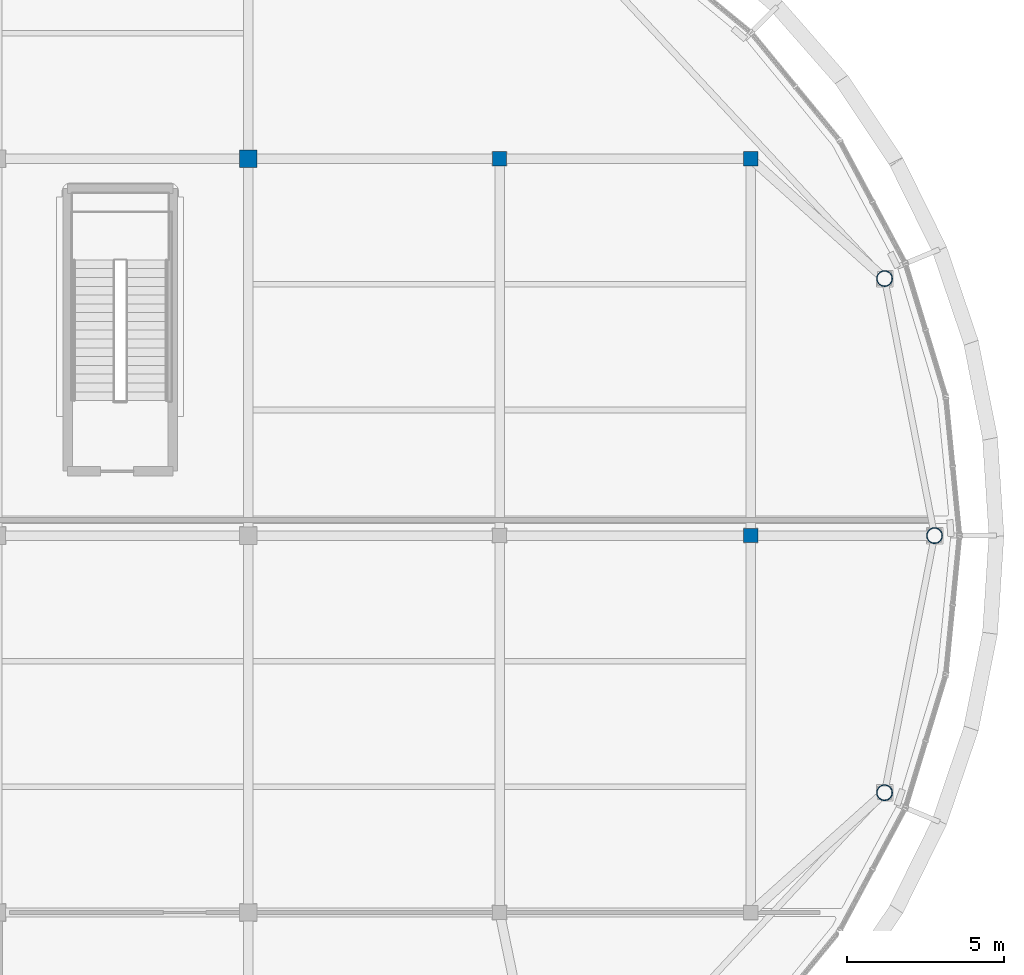
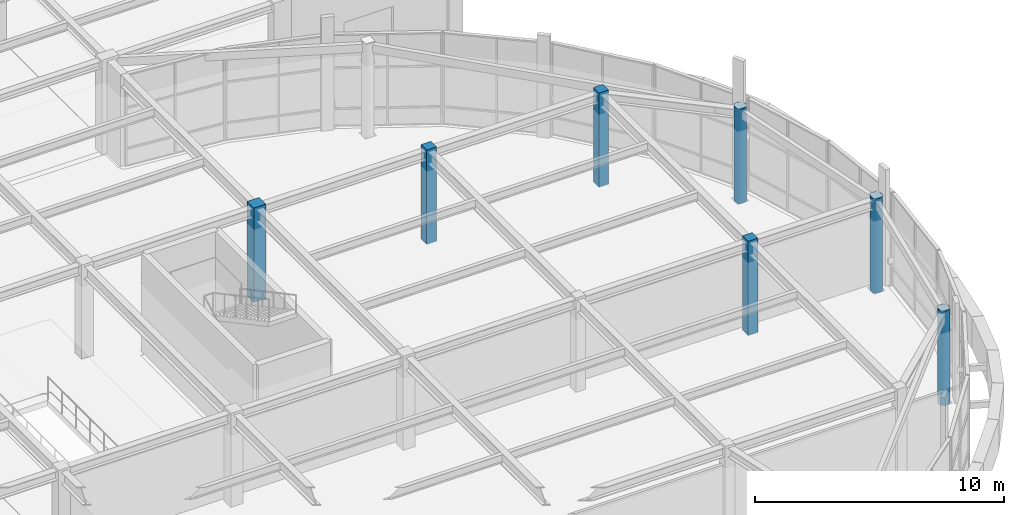
# One storey, part 7 of 63: 7 columns.
"""IFC4 building model written with IfcOpenShell, lengths in metres."""

from ifc_helpers import new_model, si_unit, direction, frame, origin, origin_2d, place, context, subcontext, project, spatial, rectangle, hollow_circle, extrude, material, material_profile, profile_set, type_object, element, save


model = new_model("IFC4")

# Units and contexts
model_context = context("Model", 3, precision=1e-05, world=origin(), true_north=direction((0.0, 1.0)))
body_context = subcontext(model_context, "Body", "Model", "MODEL_VIEW")
ifc_project = project(units=[si_unit("LENGTHUNIT", "METRE"), si_unit("AREAUNIT", "SQUARE_METRE"), si_unit("VOLUMEUNIT", "CUBIC_METRE"), si_unit("PLANEANGLEUNIT", "RADIAN"), si_unit("MASSUNIT", "GRAM", prefix="KILO")], contexts=[model_context])

# Site, building, storey
site_placement = place(None, origin())
site = spatial("IfcSite", under=ifc_project, at=site_placement, CompositionType="ELEMENT")
building_placement = place(site_placement, origin())
building = spatial("IfcBuilding", under=site, at=building_placement, Name="Keelwater Ferry Terminal", CompositionType="ELEMENT")
storey_placement = place(building_placement, frame((0.0, 0.0, 10.199951171875)))
storey = spatial("IfcBuildingStorey", under=building, at=storey_placement, Name="L02", CompositionType="ELEMENT", Elevation=10.199951171875)

# Columns
ifc_material_1 = material(Name="Concrete C45/55", Category="concrete")
ifc_material_profile_1 = material_profile(ifc_material_1, rectangle(XDim=0.550048828125, YDim=0.550048828125, at=origin_2d()), Name="RC 550x550")
ifc_profile_set_1 = profile_set([ifc_material_profile_1], Name="Concrete C45/55")
column_type_1 = type_object("IfcColumnType", Name="C4 RC 550x550", PredefinedType="COLUMN", material=ifc_profile_set_1)
column_placement = place(storey_placement, frame((164.0, 78.0, 0.0), z_axis=(0.0, 0.0, 1.0), x_axis=(1.0, 0.0, 0.0)))
element("IfcColumn", 1, at=column_placement, inside=storey, type_object=column_type_1, Name="Column CL-L02-0429", PredefinedType="COLUMN", context=body_context, shape_type="SweptSolid", body=[
    extrude(rectangle(XDim=0.550048828125, YDim=0.550048828125, at=origin_2d()), origin(), (0.0, 0.0, 1.0), 4.64013671875),
])
ifc_material_2 = material(Name="Concrete C45/55", Category="concrete")
ifc_material_profile_2 = material_profile(ifc_material_2, rectangle(XDim=0.449951171875, YDim=0.449951171875, at=origin_2d()), Name="RC 450x450")
ifc_profile_set_2 = profile_set([ifc_material_profile_2], Name="Concrete C45/55")
column_type_2 = type_object("IfcColumnType", Name="C5 RC 450x450", PredefinedType="COLUMN", material=ifc_profile_set_2)
for number, where, z_axis, x_axis, name in (
    (2, (172.0, 78.0, 0.0), (0.0, 0.0, 1.0), (1.0, 0.0, 0.0), "Column CL-L02-0463"),
    (3, (180.0, 66.0, 0.0), (0.0, 0.0, 1.0), (1.0, 0.0, 0.0), "Column CL-L02-0498"),
    (4, (180.0, 78.0, 0.0), (0.0, 0.0, 1.0), (1.0, 0.0, 0.0), "Column CL-L02-0501"),
):
    element("IfcColumn", number, at=place(storey_placement, frame(where, z_axis=z_axis, x_axis=x_axis)), inside=storey, type_object=column_type_2, Name=name, PredefinedType="COLUMN", context=body_context, shape_type="SweptSolid", body=[
        extrude(rectangle(XDim=0.449951171875, YDim=0.449951171875, at=origin_2d()), origin(), (0.0, 0.0, 1.0), 4.64013671875),
    ])
ifc_material_3 = material(Name="Steel S355", Category="steel")
ifc_material_profile_3 = material_profile(ifc_material_3, hollow_circle(Radius=0.25390625, WallThickness=0.02001953125, at=origin_2d()), Name="CHS 508x20")
ifc_profile_set_3 = profile_set([ifc_material_profile_3], Name="Steel S355")
column_type_3 = type_object("IfcColumnType", Name="C8E CHS 508x20", PredefinedType="COLUMN", material=ifc_profile_set_3)
for number, where, z_axis, x_axis, name in (
    (5, (184.259033203125, 74.18505859375, 0.0), (0.0, 0.0, 1.0), (1.0, 0.0, 0.0), "Column CL-L02-0547"),
    (6, (185.85009765625, 66.0, 0.0), (0.0, 0.0, 1.0), (1.0, 0.0, 0.0), "Column CL-L02-0550"),
    (7, (184.259033203125, 57.81494140625, 0.0), (0.0, 0.0, 1.0), (1.0, 0.0, 0.0), "Column CL-L02-0553"),
):
    element("IfcColumn", number, at=place(storey_placement, frame(where, z_axis=z_axis, x_axis=x_axis)), inside=storey, type_object=column_type_3, Name=name, PredefinedType="COLUMN", context=body_context, shape_type="SweptSolid", body=[
        extrude(hollow_circle(Radius=0.25390625, WallThickness=0.02001953125, at=origin_2d()), origin(), (0.0, 0.0, 1.0), 4.64013671875),
    ])

save(model, "model.ifc")
